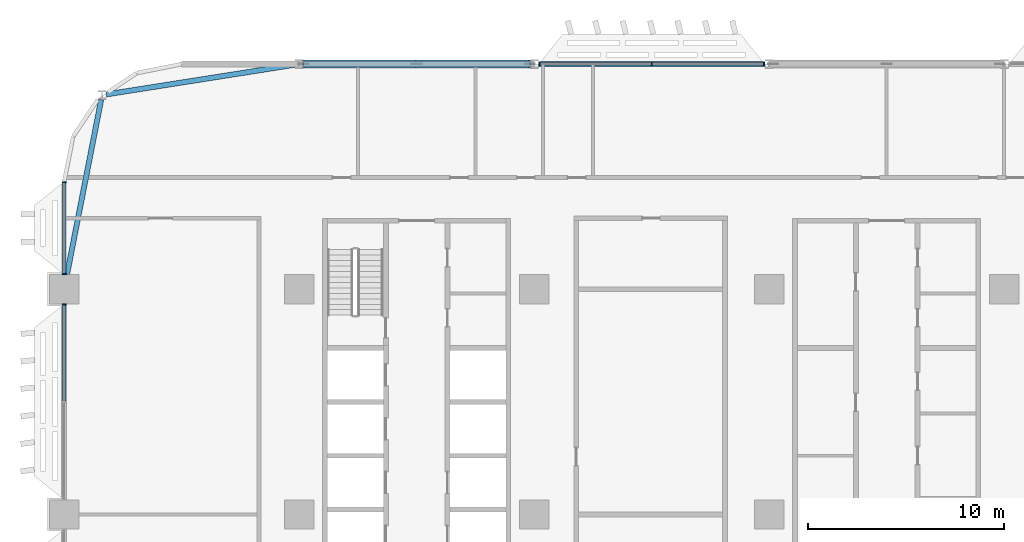
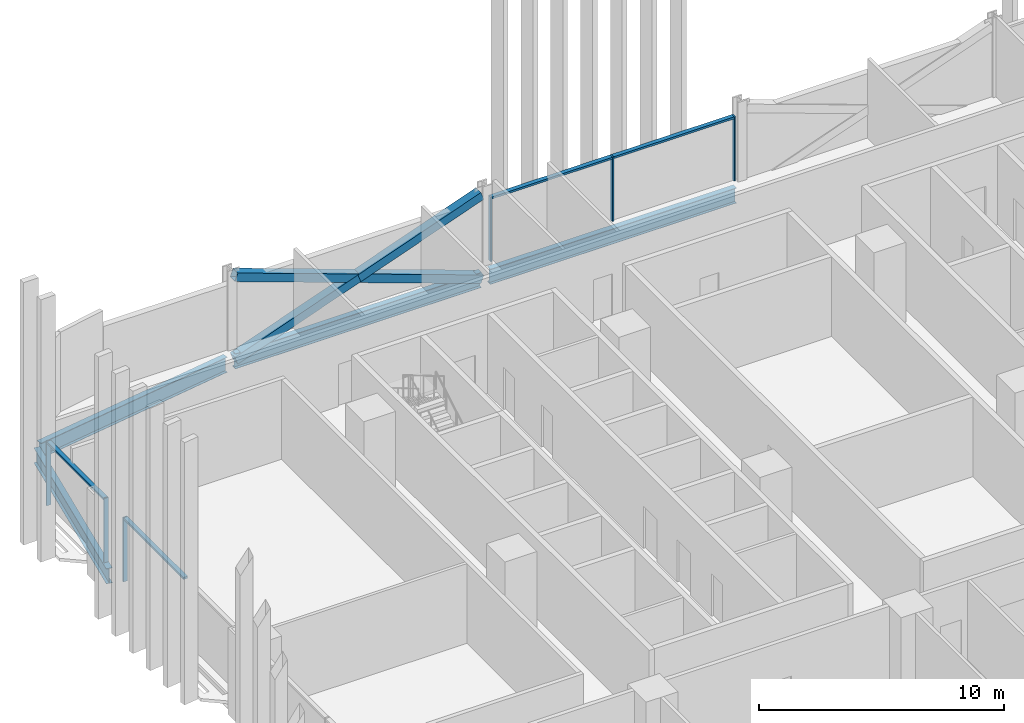
# One storey, part 6 of 29: 13 members, 4 beams, 3 elements without a shape of their own.
"""IFC4 building model written with IfcOpenShell, lengths in metres."""

from ifc_helpers import new_model, si_unit, direction, frame, origin, origin_2d, place, context, subcontext, project, spatial, rectangle, hollow_rectangle, i_section, extrude, material, material_profile, profile_set, type_object, element, aggregate, save


model = new_model("IFC4")

# Units and contexts
model_context = context("Model", 3, precision=1e-05, world=origin(), true_north=direction((0.0, 1.0)))
body_context = subcontext(model_context, "Body", "Model", "MODEL_VIEW")
ifc_project = project(units=[si_unit("LENGTHUNIT", "METRE"), si_unit("AREAUNIT", "SQUARE_METRE"), si_unit("VOLUMEUNIT", "CUBIC_METRE"), si_unit("PLANEANGLEUNIT", "RADIAN"), si_unit("MASSUNIT", "GRAM", prefix="KILO")], contexts=[model_context])

# Site, building, storey
site_placement = place(None, origin())
site = spatial("IfcSite", under=ifc_project, at=site_placement, CompositionType="ELEMENT")
building_placement = place(site_placement, origin())
building = spatial("IfcBuilding", under=site, at=building_placement, Name="Mahtab Terrace Research Tower", CompositionType="ELEMENT")
storey_placement = place(building_placement, frame((0.0, 0.0, 63.199951171875)))
storey = spatial("IfcBuildingStorey", under=building, at=storey_placement, Name="L14", CompositionType="ELEMENT", Elevation=63.199951171875)

# Members
ifc_material_1 = material(Name="Steel ASTM A500 Gr C", Category="steel")
ifc_material_profile_1 = material_profile(ifc_material_1, hollow_rectangle(XDim=0.406494140625, YDim=0.406494140625, WallThickness=0.01904296875, at=origin_2d()), Name="HSS16X16X3/4")
ifc_profile_set_1 = profile_set([ifc_material_profile_1], Name="Steel ASTM A500 Gr C")
member_type_1 = type_object("IfcMemberType", Name="HSS 16x16x3/4 brace XB161634", PredefinedType="BRACE", material=ifc_profile_set_1)
member_1_placement = place(storey_placement, frame((-18.212158203125, 23.0, -0.642333984375), z_axis=(-0.941386519928, 0.0, 0.337329838731), x_axis=(0.0, -1.0, 0.0)))
element("IfcMember", 1, at=member_1_placement, inside=storey, type_object=member_type_1, Name="Exoskeleton brace L14 07 a", PredefinedType="BRACE", context=body_context, shape_type="SweptSolid", body=[
    extrude(hollow_rectangle(XDim=0.406494140625, YDim=0.406494140625, WallThickness=0.01904296875, at=origin_2d()), origin(), (0.0, 0.0, 1.0), 12.29638671875),
])
for number, where, z_axis, x_axis, name in (
    (2, (-29.787841796875, 23.0, -0.642333984375), (0.941386519928, 0.0, 0.337329838731), (0.0, 1.0, 0.0), "Exoskeleton brace L14 07 b1"),
    (3, (-24.0, 23.0, 1.431640625), (0.941386519928, 0.0, 0.337329838731), (0.0, 1.0, 0.0), "Exoskeleton brace L14 07 b2"),
):
    element("IfcMember", number, at=place(storey_placement, frame(where, z_axis=z_axis, x_axis=x_axis)), inside=storey, type_object=member_type_1, Name=name, PredefinedType="BRACE", context=body_context, shape_type="SweptSolid", body=[
        extrude(hollow_rectangle(XDim=0.406494140625, YDim=0.406494140625, WallThickness=0.01904296875, at=origin_2d()), origin(), (0.0, 0.0, 1.0), 6.148193359375),
    ])

# Curtain wall, members
ifc_material_2 = material(Name="Laboratory ribbon curtain wall")
curtain_wall_type = type_object("IfcCurtainWallType", Name="Laboratory ribbon curtain wall", PredefinedType="NOTDEFINED", material=ifc_material_2)
curtain_wall_1_placement = place(storey_placement, origin())
curtain_wall_1 = element("IfcCurtainWall", 4, at=curtain_wall_1_placement, inside=storey, type_object=curtain_wall_type, Name="EN.L14.3.8", PredefinedType="NOTDEFINED")
ifc_material_3 = material(Name="Natural anodised aluminium", Category="aluminium")
ifc_material_profile_2 = material_profile(ifc_material_3, rectangle(XDim=0.199951171875, YDim=0.06494140625, at=origin_2d()), Name="MULLION 65x200")
ifc_profile_set_2 = profile_set([ifc_material_profile_2], Name="Natural anodised aluminium")
member_type_2 = type_object("IfcMemberType", Name="Laboratory ribbon curtain wall mullion", PredefinedType="MULLION", material=ifc_profile_set_2)
member_2_placement = place(storey_placement, frame((-6.2705078125, 23.0, 0.0), z_axis=(0.0, 0.0, 1.0), x_axis=(0.0, -1.0, 0.0)))
member_2 = element("IfcMember", 5, at=member_2_placement, type_object=member_type_2, Name="CWL-2 mullion 1", PredefinedType="MULLION", context=body_context, shape_type="SweptSolid", body=[
    extrude(rectangle(XDim=0.199951171875, YDim=0.06494140625, at=origin_2d()), origin(), (0.0, 0.0, 1.0), 3.203125),
])
member_3_placement = place(storey_placement, frame((-12.0, 23.0, 0.0), z_axis=(0.0, 0.0, 1.0), x_axis=(0.0, -1.0, 0.0)))
member_3 = element("IfcMember", 6, at=member_3_placement, type_object=member_type_2, Name="CWL-2 mullion 2", PredefinedType="MULLION", context=body_context, shape_type="SweptSolid", body=[
    extrude(rectangle(XDim=0.199951171875, YDim=0.06494140625, at=origin_2d()), origin(), (0.0, 0.0, 1.0), 3.203125),
])
member_4_placement = place(storey_placement, frame((-17.7294921875, 23.0, 0.0), z_axis=(0.0, 0.0, 1.0), x_axis=(0.0, -1.0, 0.0)))
member_4 = element("IfcMember", 7, at=member_4_placement, type_object=member_type_2, Name="CWL-2 mullion 3", PredefinedType="MULLION", context=body_context, shape_type="SweptSolid", body=[
    extrude(rectangle(XDim=0.199951171875, YDim=0.06494140625, at=origin_2d()), origin(), (0.0, 0.0, 1.0), 3.203125),
])

curtain_wall_2_placement = place(storey_placement, origin())
curtain_wall_2 = element("IfcCurtainWall", 8, at=curtain_wall_2_placement, inside=storey, type_object=curtain_wall_type, Name="EN.L14.8.15", PredefinedType="NOTDEFINED")
member_5_placement = place(storey_placement, frame((-42.0, 16.967529296875, 0.0), z_axis=(0.0, 0.0, 1.0), x_axis=(1.0, 0.0, 0.0)))
member_5 = element("IfcMember", 9, at=member_5_placement, type_object=member_type_2, Name="CWL-2 mullion 1", PredefinedType="MULLION", context=body_context, shape_type="SweptSolid", body=[
    extrude(rectangle(XDim=0.199951171875, YDim=0.06494140625, at=origin_2d()), origin(), (0.0, 0.0, 1.0), 3.203125),
])
member_6_placement = place(storey_placement, frame((-42.0, 12.282470703125, 0.0), z_axis=(0.0, 0.0, 1.0), x_axis=(1.0, 0.0, 0.0)))
member_6 = element("IfcMember", 10, at=member_6_placement, type_object=member_type_2, Name="CWL-2 mullion 2", PredefinedType="MULLION", context=body_context, shape_type="SweptSolid", body=[
    extrude(rectangle(XDim=0.199951171875, YDim=0.06494140625, at=origin_2d()), origin(), (0.0, 0.0, 1.0), 3.203125),
])

# Curtain wall, member
curtain_wall_3_placement = place(storey_placement, origin())
curtain_wall_3 = element("IfcCurtainWall", 11, at=curtain_wall_3_placement, inside=storey, type_object=curtain_wall_type, Name="EN.L14.8.16", PredefinedType="NOTDEFINED")
member_7_placement = place(storey_placement, frame((-42.0, 10.717529296875, 0.0), z_axis=(0.0, 0.0, 1.0), x_axis=(1.0, 0.0, 0.0)))
member_7 = element("IfcMember", 12, at=member_7_placement, type_object=member_type_2, Name="CWL-2 mullion 1", PredefinedType="MULLION", context=body_context, shape_type="SweptSolid", body=[
    extrude(rectangle(XDim=0.199951171875, YDim=0.06494140625, at=origin_2d()), origin(), (0.0, 0.0, 1.0), 3.203125),
])

# Member
ifc_material_profile_3 = material_profile(ifc_material_3, rectangle(XDim=0.199951171875, YDim=0.10009765625, at=origin_2d()), Name="TRANSOM 100x200")
ifc_profile_set_3 = profile_set([ifc_material_profile_3], Name="Natural anodised aluminium")
member_type_3 = type_object("IfcMemberType", Name="Laboratory ribbon curtain wall transom", PredefinedType="USERDEFINED", material=ifc_profile_set_3)
member_8_placement = place(storey_placement, frame((-6.302978515625, 23.0, 3.153076171875), z_axis=(-1.0, 0.0, 0.0), x_axis=(0.0, -1.0, 0.0)))
member_8 = element("IfcMember", 13, at=member_8_placement, type_object=member_type_3, Name="CWL-2 transom 1", ObjectType="TRANSOM", PredefinedType="USERDEFINED", context=body_context, shape_type="SweptSolid", body=[
    extrude(rectangle(XDim=0.199951171875, YDim=0.10009765625, at=origin_2d()), origin(), (0.0, 0.0, 1.0), 5.66455078125),
])

member_9_placement = place(storey_placement, frame((-12.032470703125, 23.0, 3.153076171875), z_axis=(-1.0, 0.0, 0.0), x_axis=(0.0, -1.0, 0.0)))
member_9 = element("IfcMember", 14, at=member_9_placement, type_object=member_type_3, Name="CWL-2 transom 2", ObjectType="TRANSOM", PredefinedType="USERDEFINED", context=body_context, shape_type="SweptSolid", body=[
    extrude(rectangle(XDim=0.199951171875, YDim=0.10009765625, at=origin_2d()), origin(), (0.0, 0.0, 1.0), 5.66455078125),
])

aggregate(curtain_wall_1, [member_2, member_3, member_4, member_8, member_9])

member_10_placement = place(storey_placement, frame((-42.0, 16.93505859375, 3.153076171875), z_axis=(0.0, -1.0, 0.0), x_axis=(1.0, 0.0, 0.0)))
member_10 = element("IfcMember", 15, at=member_10_placement, type_object=member_type_3, Name="CWL-2 transom 1", ObjectType="TRANSOM", PredefinedType="USERDEFINED", context=body_context, shape_type="SweptSolid", body=[
    extrude(rectangle(XDim=0.199951171875, YDim=0.10009765625, at=origin_2d()), origin(), (0.0, 0.0, 1.0), 4.6201171875),
])

aggregate(curtain_wall_2, [member_5, member_6, member_10])

member_11_placement = place(storey_placement, frame((-42.0, 10.68505859375, 3.153076171875), z_axis=(0.0, -1.0, 0.0), x_axis=(1.0, 0.0, 0.0)))
member_11 = element("IfcMember", 16, at=member_11_placement, type_object=member_type_3, Name="CWL-2 transom 1", ObjectType="TRANSOM", PredefinedType="USERDEFINED", context=body_context, shape_type="SweptSolid", body=[
    extrude(rectangle(XDim=0.199951171875, YDim=0.10009765625, at=origin_2d()), origin(), (0.0, 0.0, 1.0), 4.902587890625),
])

aggregate(curtain_wall_3, [member_7, member_11])

# Beams
ifc_material_4 = material(Name="Steel ASTM A992 Gr 50", Category="steel")
ifc_material_profile_4 = material_profile(ifc_material_4, i_section(OverallWidth=0.2666015625, OverallDepth=0.7568359375, WebThickness=0.013916015625, FlangeThickness=0.019287109375, at=origin_2d()), Name="W30X108")
ifc_profile_set_4 = profile_set([ifc_material_profile_4], Name="Steel ASTM A992 Gr 50")
beam_type = type_object("IfcBeamType", Name="W30x108 beam BS30108", PredefinedType="BEAM", material=ifc_profile_set_4)
for number, where, z_axis, x_axis, name in (
    (17, (-6.212158203125, 23.0, -0.718505859375), (-1.0, 0.0, 0.0), (0.0, -1.0, 0.0), "Spandrel beam L14 06"),
    (18, (-18.212158203125, 23.0, -0.718505859375), (-1.0, 0.0, 0.0), (0.0, -1.0, 0.0), "Spandrel beam L14 07"),
):
    element("IfcBeam", number, at=place(storey_placement, frame(where, z_axis=z_axis, x_axis=x_axis)), inside=storey, type_object=beam_type, Name=name, PredefinedType="BEAM", context=body_context, shape_type="SweptSolid", body=[
        extrude(i_section(OverallWidth=0.2666015625, OverallDepth=0.7568359375, WebThickness=0.013916015625, FlangeThickness=0.019287109375, at=origin_2d()), origin(), (0.0, 0.0, 1.0), 11.57568359375),
    ])
beam_1_placement = place(storey_placement, frame((-30.212158203125, 22.966552734375, -0.718505859375), z_axis=(-0.987836303792, -0.155497385545, 0.0), x_axis=(0.155497385545, -0.987836303792, 0.0)))
element("IfcBeam", 19, at=beam_1_placement, inside=storey, type_object=beam_type, Name="Spandrel beam L14 08", PredefinedType="BEAM", context=body_context, shape_type="SweptSolid", body=[
    extrude(i_section(OverallWidth=0.2666015625, OverallDepth=0.7568359375, WebThickness=0.013916015625, FlangeThickness=0.019287109375, at=origin_2d()), origin(), (0.0, 0.0, 1.0), 9.75634765625),
])
beam_2_placement = place(storey_placement, frame((-40.1083984375, 21.178466796875, -0.718505859375), z_axis=(-0.191825617976, -0.981429025599, 0.0), x_axis=(0.981429025599, -0.191825617976, 0.0)))
element("IfcBeam", 20, at=beam_2_placement, inside=storey, type_object=beam_type, Name="Spandrel beam L14 09", PredefinedType="BEAM", context=body_context, shape_type="SweptSolid", body=[
    extrude(i_section(OverallWidth=0.2666015625, OverallDepth=0.7568359375, WebThickness=0.013916015625, FlangeThickness=0.019287109375, at=origin_2d()), origin(), (0.0, 0.0, 1.0), 9.097412109375),
])

save(model, "model.ifc")
